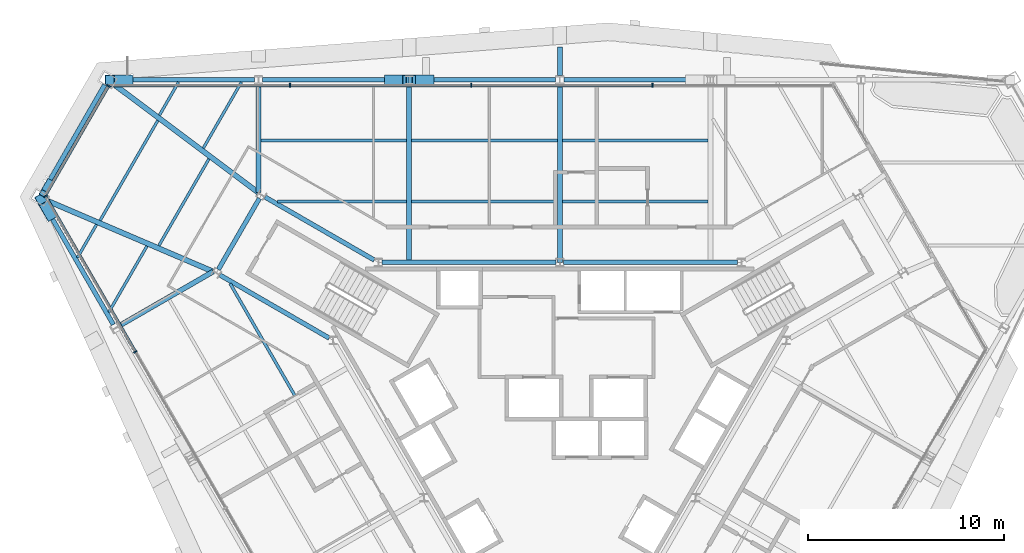
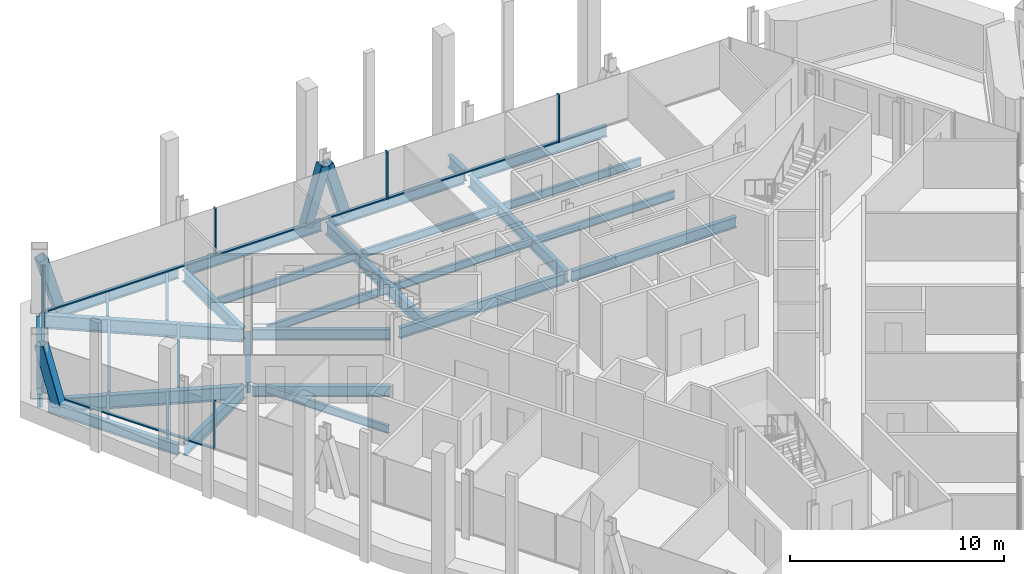
# One storey, part 5 of 13: 31 beams, 16 members, 3 elements without a shape of their own.
"""IFC4 building model written with IfcOpenShell, lengths in metres."""

from ifc_helpers import new_model, si_unit, direction, frame, origin, origin_2d, place, context, subcontext, project, spatial, rectangle, hollow_rectangle, i_section, extrude, material, material_profile, profile_set, type_object, element, aggregate, save


model = new_model("IFC4")

# Units and contexts
model_context = context("Model", 3, precision=1e-05, world=origin(), true_north=direction((0.0, 1.0)))
body_context = subcontext(model_context, "Body", "Model", "MODEL_VIEW")
ifc_project = project(units=[si_unit("LENGTHUNIT", "METRE"), si_unit("AREAUNIT", "SQUARE_METRE"), si_unit("VOLUMEUNIT", "CUBIC_METRE"), si_unit("PLANEANGLEUNIT", "RADIAN"), si_unit("MASSUNIT", "GRAM", prefix="KILO")], contexts=[model_context])

# Site, building, storey
site_placement = place(None, origin())
site = spatial("IfcSite", under=ifc_project, at=site_placement, CompositionType="ELEMENT")
building_placement = place(site_placement, origin())
building = spatial("IfcBuilding", under=site, at=building_placement, Name="Verrane Prism Tower", CompositionType="ELEMENT")
storey_placement = place(building_placement, frame((0.0, 0.0, 171.0)))
storey = spatial("IfcBuildingStorey", under=building, at=storey_placement, Name="L42", CompositionType="ELEMENT", Elevation=171.0)

# Member
ifc_material_1 = material(Name="Steel A500 Grade C", Category="steel")
ifc_material_profile_1 = material_profile(ifc_material_1, hollow_rectangle(XDim=0.3046875, YDim=0.3046875, WallThickness=0.0126953125, InnerFilletRadius=0.00634765625, OuterFilletRadius=0.01904296875, at=origin_2d()), Name="HSS12x12x1/2")
ifc_profile_set_1 = profile_set([ifc_material_profile_1], Name="Steel A500 Grade C")
member_type_1 = type_object("IfcMemberType", Name="Chamfer brace HSS12x12x1/2", PredefinedType="BRACE", material=ifc_profile_set_1)
member_1_placement = place(storey_placement, frame((-26.05517578125, 12.08984375, -0.24267578125), z_axis=(-0.129052425004, -0.224143685533, 0.965973643448), x_axis=(0.866622456874, -0.498964444867, 0.0)))
element("IfcMember", 1, at=member_1_placement, inside=storey, type_object=member_type_1, Name="Chamfer brace NW0 L42", PredefinedType="BRACE", context=body_context, shape_type="SweptSolid", body=[
    extrude(hollow_rectangle(XDim=0.3046875, YDim=0.3046875, WallThickness=0.0126953125, InnerFilletRadius=0.00634765625, OuterFilletRadius=0.01904296875, at=origin_2d()), origin(), (0.0, 0.0, 1.0), 2.480224609375),
])

# Beams
ifc_material_2 = material(Name="Steel A992", Category="steel")
ifc_material_profile_2 = material_profile(ifc_material_2, i_section(OverallWidth=0.2666015625, OverallDepth=0.7568359375, WebThickness=0.013916015625, FlangeThickness=0.019287109375, FilletRadius=0.0166015625, at=origin_2d()), Name="W30x108")
ifc_profile_set_2 = profile_set([ifc_material_profile_2], Name="Steel A992")
beam_type_1 = type_object("IfcBeamType", Name="Chamfer spandrel beam W30x108", PredefinedType="SPANDREL", material=ifc_profile_set_2)
beam_1_placement = place(storey_placement, frame((-23.19970703125, 17.050048828125, -0.53857421875), z_axis=(-0.498933745764, -0.866640131391, 0.0), x_axis=(0.866640131391, -0.498933745764, 0.0)))
element("IfcBeam", 2, at=beam_1_placement, inside=storey, type_object=beam_type_1, Name="Chamfer spandrel beam L42", PredefinedType="SPANDREL", context=body_context, shape_type="SweptSolid", body=[
    extrude(i_section(OverallWidth=0.2666015625, OverallDepth=0.7568359375, WebThickness=0.013916015625, FlangeThickness=0.019287109375, FilletRadius=0.0166015625, at=origin_2d()), origin(), (0.0, 0.0, 1.0), 6.334716796875),
])
ifc_material_3 = material(Name="Steel A992", Category="steel")
ifc_material_profile_3 = material_profile(ifc_material_3, i_section(OverallWidth=0.23046875, OverallDepth=0.6171875, WebThickness=0.01318359375, FlangeThickness=0.022216796875, FilletRadius=0.012939453125, at=origin_2d()), Name="W24x94")
ifc_profile_set_3 = profile_set([ifc_material_profile_3], Name="Steel A992")
beam_type_2 = type_object("IfcBeamType", Name="Core ring girder W24x94", PredefinedType="BEAM", material=ifc_profile_set_3)
for number, where, z_axis, x_axis, name in (
    (3, (9.059326171875, 8.0, -0.55859375), (-1.0, 0.0, 0.0), (0.0, -1.0, 0.0), "Core ring girder L42"),
    (4, (-0.20068359375, 8.0, -0.55859375), (-1.0, 0.0, 0.0), (0.0, -1.0, 0.0), "Core ring girder L42"),
):
    element("IfcBeam", number, at=place(storey_placement, frame(where, z_axis=z_axis, x_axis=x_axis)), inside=storey, type_object=beam_type_2, Name=name, PredefinedType="BEAM", context=body_context, shape_type="SweptSolid", body=[
        extrude(i_section(OverallWidth=0.23046875, OverallDepth=0.6171875, WebThickness=0.01318359375, FlangeThickness=0.022216796875, FilletRadius=0.012939453125, at=origin_2d()), origin(), (0.0, 0.0, 1.0), 8.858642578125),
    ])
beam_2_placement = place(storey_placement, frame((-9.460693359375, 8.11572265625, -0.55859375), z_axis=(-0.866075143088, 0.499913839102, 0.0), x_axis=(-0.499913839102, -0.866075143088, 0.0)))
element("IfcBeam", 5, at=beam_2_placement, inside=storey, type_object=beam_type_2, Name="Core ring girder L42", PredefinedType="BEAM", context=body_context, shape_type="SweptSolid", body=[
    extrude(i_section(OverallWidth=0.23046875, OverallDepth=0.6171875, WebThickness=0.01318359375, FlangeThickness=0.022216796875, FilletRadius=0.012939453125, at=origin_2d()), origin(), (0.0, 0.0, 1.0), 6.441650390625),
])
beam_3_placement = place(storey_placement, frame((-15.32177734375, 11.26416015625, -0.55859375), z_axis=(-0.500305747711, -0.865848808284, 0.0), x_axis=(0.865848808284, -0.500305747711, 0.0)))
element("IfcBeam", 6, at=beam_3_placement, inside=storey, type_object=beam_type_2, Name="Core ring girder L42", PredefinedType="BEAM", context=body_context, shape_type="SweptSolid", body=[
    extrude(i_section(OverallWidth=0.23046875, OverallDepth=0.6171875, WebThickness=0.01318359375, FlangeThickness=0.022216796875, FilletRadius=0.012939453125, at=origin_2d()), origin(), (0.0, 0.0, 1.0), 4.1904296875),
])
beam_4_placement = place(storey_placement, frame((-17.339599609375, 7.35595703125, -0.55859375), z_axis=(0.866075143088, -0.499913839102, 0.0), x_axis=(0.499913839102, 0.866075143088, 0.0)))
element("IfcBeam", 7, at=beam_4_placement, inside=storey, type_object=beam_type_2, Name="Core ring girder L42", PredefinedType="BEAM", context=body_context, shape_type="SweptSolid", body=[
    extrude(i_section(OverallWidth=0.23046875, OverallDepth=0.6171875, WebThickness=0.01318359375, FlangeThickness=0.022216796875, FilletRadius=0.012939453125, at=origin_2d()), origin(), (0.0, 0.0, 1.0), 6.441650390625),
])
ifc_material_4 = material(Name="Steel A992", Category="steel")
ifc_material_profile_4 = material_profile(ifc_material_4, i_section(OverallWidth=0.2666015625, OverallDepth=0.76708984375, WebThickness=0.014892578125, FlangeThickness=0.023681640625, FilletRadius=0.0166015625, at=origin_2d()), Name="W30x124")
ifc_profile_set_4 = profile_set([ifc_material_profile_4], Name="Steel A992")
beam_type_3 = type_object("IfcBeamType", Name="Corner girder W30x124", PredefinedType="BEAM", material=ifc_profile_set_4)
beam_5_placement = place(storey_placement, frame((-23.048583984375, 17.308837890625, -0.603515625), z_axis=(0.800128499961, -0.599828628485, 0.0), x_axis=(0.599828628485, 0.800128499961, 0.0)))
element("IfcBeam", 8, at=beam_5_placement, inside=storey, type_object=beam_type_3, Name="Corner girder L42", PredefinedType="BEAM", context=body_context, shape_type="SweptSolid", body=[
    extrude(i_section(OverallWidth=0.2666015625, OverallDepth=0.76708984375, WebThickness=0.014892578125, FlangeThickness=0.023681640625, FilletRadius=0.0166015625, at=origin_2d()), origin(), (0.0, 0.0, 1.0), 9.57421875),
])
beam_6_placement = place(storey_placement, frame((-26.139404296875, 11.1416015625, -0.603515625), z_axis=(0.919628068882, -0.392790293827, 0.0), x_axis=(0.392790293827, 0.919628068882, 0.0)))
element("IfcBeam", 9, at=beam_6_placement, inside=storey, type_object=beam_type_3, Name="Corner girder L42", PredefinedType="BEAM", context=body_context, shape_type="SweptSolid", body=[
    extrude(i_section(OverallWidth=0.2666015625, OverallDepth=0.76708984375, WebThickness=0.014892578125, FlangeThickness=0.023681640625, FilletRadius=0.0166015625, at=origin_2d()), origin(), (0.0, 0.0, 1.0), 9.162841796875),
])

# Members
ifc_material_5 = material(Name="Steel A500 Grade C", Category="steel")
ifc_material_profile_5 = material_profile(ifc_material_5, hollow_rectangle(XDim=0.508056640625, YDim=0.508056640625, WallThickness=0.01904296875, InnerFilletRadius=0.009521484375, OuterFilletRadius=0.028564453125, at=origin_2d()), Name="HSS20x20x3/4")
ifc_profile_set_5 = profile_set([ifc_material_profile_5], Name="Steel A500 Grade C")
member_type_2 = type_object("IfcMemberType", Name="Facade brace HSS20x20x3/4", PredefinedType="BRACE", material=ifc_profile_set_5)
member_2_placement = place(storey_placement, frame((-6.65771484375, 17.31005859375, -0.216796875), z_axis=(-0.284252705934, 0.0, 0.958749393308), x_axis=(0.0, -1.0, 0.0)))
element("IfcMember", 10, at=member_2_placement, inside=storey, type_object=member_type_2, Name="Facade brace N3 L42", PredefinedType="BRACE", context=body_context, shape_type="SweptSolid", body=[
    extrude(hollow_rectangle(XDim=0.508056640625, YDim=0.508056640625, WallThickness=0.01904296875, InnerFilletRadius=0.009521484375, OuterFilletRadius=0.028564453125, at=origin_2d()), origin(), (0.0, 0.0, 1.0), 3.286865234375),
])
member_3_placement = place(storey_placement, frame((-8.703857421875, 17.31005859375, -0.216796875), z_axis=(0.284594022652, 0.0, 0.95864813267), x_axis=(0.0, 1.0, 0.0)))
element("IfcMember", 11, at=member_3_placement, inside=storey, type_object=member_type_2, Name="Facade brace N4 L42", PredefinedType="BRACE", context=body_context, shape_type="SweptSolid", body=[
    extrude(hollow_rectangle(XDim=0.508056640625, YDim=0.508056640625, WallThickness=0.01904296875, InnerFilletRadius=0.009521484375, OuterFilletRadius=0.028564453125, at=origin_2d()), origin(), (0.0, 0.0, 1.0), 3.287353515625),
])
for number, where, z_axis, x_axis, name in (
    (12, (-22.027587890625, 17.31005859375, -0.216796875), (-0.284252705934, 0.0, 0.958749393308), (0.0, -1.0, 0.0), "Facade brace N5 L42"),
    (13, (-25.998779296875, 10.414794921875, -0.216796875), (-0.142163466059, 0.246149282404, 0.958749226696), (-0.86595058071, -0.500129574979, 0.0), "Facade brace SW0 L42"),
):
    element("IfcMember", number, at=place(storey_placement, frame(where, z_axis=z_axis, x_axis=x_axis)), inside=storey, type_object=member_type_2, Name=name, PredefinedType="BRACE", context=body_context, shape_type="SweptSolid", body=[
        extrude(hollow_rectangle(XDim=0.508056640625, YDim=0.508056640625, WallThickness=0.01904296875, InnerFilletRadius=0.009521484375, OuterFilletRadius=0.028564453125, at=origin_2d()), origin(), (0.0, 0.0, 1.0), 3.286865234375),
    ])

# Beams
ifc_material_6 = material(Name="Steel A992", Category="steel")
ifc_material_profile_6 = material_profile(ifc_material_6, i_section(OverallWidth=0.140380859375, OverallDepth=0.40380859375, WebThickness=0.007080078125, FlangeThickness=0.01123046875, FilletRadius=0.01025390625, at=origin_2d()), Name="W16x31")
ifc_profile_set_6 = profile_set([ifc_material_profile_6], Name="Steel A992")
beam_type_4 = type_object("IfcBeamType", Name="Floor beam W16x31", PredefinedType="BEAM", material=ifc_profile_set_6)
beam_7_placement = place(storey_placement, frame((-18.18505859375, 13.828125, -0.36181640625), z_axis=(0.499988811324, 0.866031863473, 0.0), x_axis=(-0.866031863473, 0.499988811324, 0.0)))
element("IfcBeam", 14, at=beam_7_placement, inside=storey, type_object=beam_type_4, Name="Floor beam L42", PredefinedType="BEAM", context=body_context, shape_type="SweptSolid", body=[
    extrude(i_section(OverallWidth=0.140380859375, OverallDepth=0.40380859375, WebThickness=0.007080078125, FlangeThickness=0.01123046875, FilletRadius=0.01025390625, at=origin_2d()), origin(), (0.0, 0.0, 1.0), 3.8876953125),
])
beam_8_placement = place(storey_placement, frame((-20.4228515625, 15.50634765625, -0.36181640625), z_axis=(0.49995005938, 0.866054235095, 0.0), x_axis=(-0.866054235095, 0.49995005938, 0.0)))
element("IfcBeam", 15, at=beam_8_placement, inside=storey, type_object=beam_type_4, Name="Floor beam L42", PredefinedType="BEAM", context=body_context, shape_type="SweptSolid", body=[
    extrude(i_section(OverallWidth=0.140380859375, OverallDepth=0.40380859375, WebThickness=0.007080078125, FlangeThickness=0.01123046875, FilletRadius=0.01025390625, at=origin_2d()), origin(), (0.0, 0.0, 1.0), 1.949951171875),
])
beam_9_placement = place(storey_placement, frame((-23.00537109375, 5.460693359375, -0.36181640625), z_axis=(0.500001430823, 0.866024577697, 0.0), x_axis=(-0.866024577697, 0.500001430823, 0.0)))
element("IfcBeam", 16, at=beam_9_placement, inside=storey, type_object=beam_type_4, Name="Floor beam L42", PredefinedType="BEAM", context=body_context, shape_type="SweptSolid", body=[
    extrude(i_section(OverallWidth=0.140380859375, OverallDepth=0.40380859375, WebThickness=0.007080078125, FlangeThickness=0.01123046875, FilletRadius=0.01025390625, at=origin_2d()), origin(), (0.0, 0.0, 1.0), 3.888671875),
])
beam_10_placement = place(storey_placement, frame((-24.60888671875, 8.23779296875, -0.36181640625), z_axis=(0.499935549689, 0.866062610991, 0.0), x_axis=(-0.866062610991, 0.499935549689, 0.0)))
element("IfcBeam", 17, at=beam_10_placement, inside=storey, type_object=beam_type_4, Name="Floor beam L42", PredefinedType="BEAM", context=body_context, shape_type="SweptSolid", body=[
    extrude(i_section(OverallWidth=0.140380859375, OverallDepth=0.40380859375, WebThickness=0.007080078125, FlangeThickness=0.01123046875, FilletRadius=0.01025390625, at=origin_2d()), origin(), (0.0, 0.0, 1.0), 1.950439453125),
])
beam_11_placement = place(storey_placement, frame((-20.450439453125, 8.85791015625, -0.36181640625), z_axis=(0.499991534382, 0.866030291356, 0.0), x_axis=(-0.866030291356, 0.499991534382, 0.0)))
element("IfcBeam", 18, at=beam_11_placement, inside=storey, type_object=beam_type_4, Name="Floor beam L42", PredefinedType="BEAM", context=body_context, shape_type="SweptSolid", body=[
    extrude(i_section(OverallWidth=0.140380859375, OverallDepth=0.40380859375, WebThickness=0.007080078125, FlangeThickness=0.01123046875, FilletRadius=0.01025390625, at=origin_2d()), origin(), (0.0, 0.0, 1.0), 5.10498046875),
])
beam_12_placement = place(storey_placement, frame((-23.450439453125, 10.138916015625, -0.36181640625), z_axis=(0.499984561422, 0.866034317068, 0.0), x_axis=(-0.866034317068, 0.499984561422, 0.0)))
element("IfcBeam", 19, at=beam_12_placement, inside=storey, type_object=beam_type_4, Name="Floor beam L42", PredefinedType="BEAM", context=body_context, shape_type="SweptSolid", body=[
    extrude(i_section(OverallWidth=0.140380859375, OverallDepth=0.40380859375, WebThickness=0.007080078125, FlangeThickness=0.01123046875, FilletRadius=0.01025390625, at=origin_2d()), origin(), (0.0, 0.0, 1.0), 5.885986328125),
])
ifc_material_7 = material(Name="Steel A992", Category="steel")
ifc_material_profile_7 = material_profile(ifc_material_7, i_section(OverallWidth=0.15234375, OverallDepth=0.449462890625, WebThickness=0.007568359375, FlangeThickness=0.0107421875, FilletRadius=0.01025390625, at=origin_2d()), Name="W18x35")
ifc_profile_set_7 = profile_set([ifc_material_profile_7], Name="Steel A992")
beam_type_5 = type_object("IfcBeamType", Name="Floor beam W18x35", PredefinedType="BEAM", material=ifc_profile_set_7)
for number, where, z_axis, x_axis, name in (
    (20, (0.126953125, 11.103271484375, -0.384765625), (1.0, 0.0, 0.0), (0.0, 1.0, 0.0), "Floor beam L42"),
    (21, (0.126953125, 14.206787109375, -0.384765625), (1.0, 0.0, 0.0), (0.0, 1.0, 0.0), "Floor beam L42"),
    (22, (-7.552978515625, 11.103271484375, -0.384765625), (1.0, 0.0, 0.0), (0.0, 1.0, 0.0), "Floor beam L42"),
    (23, (-7.552978515625, 14.206787109375, -0.384765625), (1.0, 0.0, 0.0), (0.0, 1.0, 0.0), "Floor beam L42"),
):
    element("IfcBeam", number, at=place(storey_placement, frame(where, z_axis=z_axis, x_axis=x_axis)), inside=storey, type_object=beam_type_5, Name=name, PredefinedType="BEAM", context=body_context, shape_type="SweptSolid", body=[
        extrude(i_section(OverallWidth=0.15234375, OverallDepth=0.449462890625, WebThickness=0.007568359375, FlangeThickness=0.0107421875, FilletRadius=0.01025390625, at=origin_2d()), origin(), (0.0, 0.0, 1.0), 7.426025390625),
    ])
beam_13_placement = place(storey_placement, frame((-14.40673828125, 11.103271484375, -0.384765625), z_axis=(1.0, 0.0, 0.0), x_axis=(0.0, 1.0, 0.0)))
element("IfcBeam", 24, at=beam_13_placement, inside=storey, type_object=beam_type_5, Name="Floor beam L42", PredefinedType="BEAM", context=body_context, shape_type="SweptSolid", body=[
    extrude(i_section(OverallWidth=0.15234375, OverallDepth=0.449462890625, WebThickness=0.007568359375, FlangeThickness=0.0107421875, FilletRadius=0.01025390625, at=origin_2d()), origin(), (0.0, 0.0, 1.0), 6.599853515625),
])
beam_14_placement = place(storey_placement, frame((-15.242919921875, 14.206787109375, -0.384765625), z_axis=(1.0, 0.0, 0.0), x_axis=(0.0, 1.0, 0.0)))
element("IfcBeam", 25, at=beam_14_placement, inside=storey, type_object=beam_type_5, Name="Floor beam L42", PredefinedType="BEAM", context=body_context, shape_type="SweptSolid", body=[
    extrude(i_section(OverallWidth=0.15234375, OverallDepth=0.449462890625, WebThickness=0.007568359375, FlangeThickness=0.0107421875, FilletRadius=0.01025390625, at=origin_2d()), origin(), (0.0, 0.0, 1.0), 7.43603515625),
])
beam_15_placement = place(storey_placement, frame((-13.519775390625, 1.210205078125, -0.384765625), z_axis=(-0.500012988063, 0.866017904993, 0.0), x_axis=(-0.866017904993, -0.500012988063, 0.0)))
element("IfcBeam", 26, at=beam_15_placement, inside=storey, type_object=beam_type_5, Name="Floor beam L42", PredefinedType="BEAM", context=body_context, shape_type="SweptSolid", body=[
    extrude(i_section(OverallWidth=0.15234375, OverallDepth=0.449462890625, WebThickness=0.007568359375, FlangeThickness=0.0107421875, FilletRadius=0.01025390625, at=origin_2d()), origin(), (0.0, 0.0, 1.0), 6.594970703125),
])

# Curtain wall, members
ifc_material_8 = material(Name="Aluminium framed insulated glazing", Category="aluminium")
curtain_wall_type = type_object("IfcCurtainWallType", Name="Curtain wall CW-A 8400 module", PredefinedType="NOTDEFINED", material=ifc_material_8)
curtain_wall_1_placement = place(storey_placement, origin())
curtain_wall_1 = element("IfcCurtainWall", 27, at=curtain_wall_1_placement, inside=storey, type_object=curtain_wall_type, Name="Glazed curtain wall north face L42", PredefinedType="NOTDEFINED")
ifc_material_9 = material(Name="Aluminium alloy 6063-T6", Category="aluminium")
ifc_material_profile_8 = material_profile(ifc_material_9, rectangle(XDim=0.199951171875, YDim=0.070068359375, at=origin_2d()), Name="Mullion 70x200 aluminium")
ifc_profile_set_8 = profile_set([ifc_material_profile_8], Name="Aluminium alloy 6063-T6")
member_type_3 = type_object("IfcMemberType", Name="Mullion 70x200 aluminium", PredefinedType="MULLION", material=ifc_profile_set_8)
member_4_placement = place(storey_placement, frame((4.7275390625, 17.031005859375, 0.0), z_axis=(0.0, 0.0, 1.0), x_axis=(0.0, -1.0, 0.0)))
member_4 = element("IfcMember", 28, at=member_4_placement, type_object=member_type_3, Name="CW42.2 mullion 2", PredefinedType="MULLION", context=body_context, shape_type="SweptSolid", body=[
    extrude(rectangle(XDim=0.199951171875, YDim=0.070068359375, at=origin_2d()), origin(), (0.0, 0.0, 1.0), 2.712890625),
])
member_5_placement = place(storey_placement, frame((-4.516357421875, 17.031005859375, 0.0), z_axis=(0.0, 0.0, 1.0), x_axis=(0.0, -1.0, 0.0)))
member_5 = element("IfcMember", 29, at=member_5_placement, type_object=member_type_3, Name="CW42.2 mullion 3", PredefinedType="MULLION", context=body_context, shape_type="SweptSolid", body=[
    extrude(rectangle(XDim=0.199951171875, YDim=0.070068359375, at=origin_2d()), origin(), (0.0, 0.0, 1.0), 2.712890625),
])
member_6_placement = place(storey_placement, frame((-13.76025390625, 17.031005859375, 0.0), z_axis=(0.0, 0.0, 1.0), x_axis=(0.0, -1.0, 0.0)))
member_6 = element("IfcMember", 30, at=member_6_placement, type_object=member_type_3, Name="CW42.2 mullion 4", PredefinedType="MULLION", context=body_context, shape_type="SweptSolid", body=[
    extrude(rectangle(XDim=0.199951171875, YDim=0.070068359375, at=origin_2d()), origin(), (0.0, 0.0, 1.0), 2.712890625),
])

# Curtain wall, member
curtain_wall_2_placement = place(storey_placement, origin())
curtain_wall_2 = element("IfcCurtainWall", 31, at=curtain_wall_2_placement, inside=storey, type_object=curtain_wall_type, Name="Glazed curtain wall north-west corner L42", PredefinedType="NOTDEFINED")
member_7_placement = place(storey_placement, frame((-23.021484375, 17.000732421875, 0.0), z_axis=(0.0, 0.0, 1.0), x_axis=(0.866021993679, -0.50000590643, 0.0)))
member_7 = element("IfcMember", 32, at=member_7_placement, type_object=member_type_3, Name="CW42.3 mullion 1", PredefinedType="MULLION", context=body_context, shape_type="SweptSolid", body=[
    extrude(rectangle(XDim=0.199951171875, YDim=0.070068359375, at=origin_2d()), origin(), (0.0, 0.0, 1.0), 2.712890625),
])

# Curtain wall, members
curtain_wall_3_placement = place(storey_placement, origin())
curtain_wall_3 = element("IfcCurtainWall", 33, at=curtain_wall_3_placement, inside=storey, type_object=curtain_wall_type, Name="Glazed curtain wall south-west face L42", PredefinedType="NOTDEFINED")
member_8_placement = place(storey_placement, frame((-26.23388671875, 11.376220703125, 0.0), z_axis=(0.0, 0.0, 1.0), x_axis=(0.86602596468, 0.499999028499, 0.0)))
member_8 = element("IfcMember", 34, at=member_8_placement, type_object=member_type_3, Name="CW42.4 mullion 1", PredefinedType="MULLION", context=body_context, shape_type="SweptSolid", body=[
    extrude(rectangle(XDim=0.199951171875, YDim=0.070068359375, at=origin_2d()), origin(), (0.0, 0.0, 1.0), 2.712890625),
])
member_9_placement = place(storey_placement, frame((-21.650390625, 3.437744140625, 0.0), z_axis=(0.0, 0.0, 1.0), x_axis=(0.86602596468, 0.499999028499, 0.0)))
member_9 = element("IfcMember", 35, at=member_9_placement, type_object=member_type_3, Name="CW42.4 mullion 2", PredefinedType="MULLION", context=body_context, shape_type="SweptSolid", body=[
    extrude(rectangle(XDim=0.199951171875, YDim=0.070068359375, at=origin_2d()), origin(), (0.0, 0.0, 1.0), 2.712890625),
])

# Beams
ifc_material_10 = material(Name="Steel A992", Category="steel")
ifc_material_profile_9 = material_profile(ifc_material_10, i_section(OverallWidth=0.25390625, OverallDepth=0.683349609375, WebThickness=0.012451171875, FlangeThickness=0.01904296875, FilletRadius=0.01513671875, at=origin_2d()), Name="W27x94")
ifc_profile_set_9 = profile_set([ifc_material_profile_9], Name="Steel A992")
beam_type_6 = type_object("IfcBeamType", Name="Radial girder W27x94", PredefinedType="BEAM", material=ifc_profile_set_9)
for number, where, z_axis, x_axis, name in (
    (36, (0.0, 17.0927734375, -0.5615234375), (0.0, -1.0, 0.0), (1.0, 0.0, 0.0), "Radial girder L42"),
    (37, (-7.679931640625, 17.0927734375, -0.5615234375), (0.0, -1.0, 0.0), (1.0, 0.0, 0.0), "Radial girder L42"),
):
    element("IfcBeam", number, at=place(storey_placement, frame(where, z_axis=z_axis, x_axis=x_axis)), inside=storey, type_object=beam_type_6, Name=name, PredefinedType="BEAM", context=body_context, shape_type="SweptSolid", body=[
        extrude(i_section(OverallWidth=0.25390625, OverallDepth=0.683349609375, WebThickness=0.012451171875, FlangeThickness=0.01904296875, FilletRadius=0.01513671875, at=origin_2d()), origin(), (0.0, 0.0, 1.0), 9.0927734375),
    ])
beam_16_placement = place(storey_placement, frame((-15.3701171875, 17.0927734375, -0.5615234375), z_axis=(0.0, -1.0, 0.0), x_axis=(1.0, 0.0, 0.0)))
element("IfcBeam", 38, at=beam_16_placement, inside=storey, type_object=beam_type_6, Name="Radial girder L42", PredefinedType="BEAM", context=body_context, shape_type="SweptSolid", body=[
    extrude(i_section(OverallWidth=0.25390625, OverallDepth=0.683349609375, WebThickness=0.012451171875, FlangeThickness=0.01904296875, FilletRadius=0.01513671875, at=origin_2d()), origin(), (0.0, 0.0, 1.0), 5.540283203125),
])
beam_17_placement = place(storey_placement, frame((-22.48193359375, 4.758544921875, -0.5615234375), z_axis=(0.866016849815, 0.500014815617, 0.0), x_axis=(-0.500014815617, 0.866016849815, 0.0)))
element("IfcBeam", 39, at=beam_17_placement, inside=storey, type_object=beam_type_6, Name="Radial girder L42", PredefinedType="BEAM", context=body_context, shape_type="SweptSolid", body=[
    extrude(i_section(OverallWidth=0.25390625, OverallDepth=0.683349609375, WebThickness=0.012451171875, FlangeThickness=0.01904296875, FilletRadius=0.01513671875, at=origin_2d()), origin(), (0.0, 0.0, 1.0), 5.541748046875),
])
beam_18_placement = place(storey_placement, frame((0.0, 17.523193359375, -0.5615234375), z_axis=(0.0, 1.0, 0.0), x_axis=(-1.0, 0.0, 0.0)))
element("IfcBeam", 40, at=beam_18_placement, inside=storey, type_object=beam_type_6, Name="Cantilever girder L42", PredefinedType="BEAM", context=body_context, shape_type="SweptSolid", body=[
    extrude(i_section(OverallWidth=0.25390625, OverallDepth=0.683349609375, WebThickness=0.012451171875, FlangeThickness=0.01904296875, FilletRadius=0.01513671875, at=origin_2d()), origin(), (0.0, 0.0, 1.0), 1.458740234375),
])
ifc_material_11 = material(Name="Steel A992", Category="steel")
ifc_material_profile_10 = material_profile(ifc_material_11, i_section(OverallWidth=0.23046875, OverallDepth=0.6171875, WebThickness=0.01318359375, FlangeThickness=0.022216796875, FilletRadius=0.012939453125, at=origin_2d()), Name="W24x94")
ifc_profile_set_10 = profile_set([ifc_material_profile_10], Name="Steel A992")
beam_type_7 = type_object("IfcBeamType", Name="Spandrel beam W24x94", PredefinedType="SPANDREL", material=ifc_profile_set_10)
for number, where, z_axis, x_axis, name in (
    (41, (7.474365234375, 17.31005859375, -0.468505859375), (-1.0, 0.0, 0.0), (0.0, -1.0, 0.0), "Spandrel beam L42"),
    (42, (-0.205810546875, 17.31005859375, -0.468505859375), (-1.0, 0.0, 0.0), (0.0, -1.0, 0.0), "Spandrel beam L42"),
):
    element("IfcBeam", number, at=place(storey_placement, frame(where, z_axis=z_axis, x_axis=x_axis)), inside=storey, type_object=beam_type_7, Name=name, PredefinedType="SPANDREL", context=body_context, shape_type="SweptSolid", body=[
        extrude(i_section(OverallWidth=0.23046875, OverallDepth=0.6171875, WebThickness=0.01318359375, FlangeThickness=0.022216796875, FilletRadius=0.012939453125, at=origin_2d()), origin(), (0.0, 0.0, 1.0), 7.2685546875),
    ])
beam_19_placement = place(storey_placement, frame((-7.8857421875, 17.31005859375, -0.468505859375), z_axis=(-1.0, 0.0, 0.0), x_axis=(0.0, -1.0, 0.0)))
element("IfcBeam", 43, at=beam_19_placement, inside=storey, type_object=beam_type_7, Name="Spandrel beam L42", PredefinedType="SPANDREL", context=body_context, shape_type="SweptSolid", body=[
    extrude(i_section(OverallWidth=0.23046875, OverallDepth=0.6171875, WebThickness=0.01318359375, FlangeThickness=0.022216796875, FilletRadius=0.012939453125, at=origin_2d()), origin(), (0.0, 0.0, 1.0), 7.278564453125),
])
beam_20_placement = place(storey_placement, frame((-15.57568359375, 17.31005859375, -0.468505859375), z_axis=(-1.0, 0.0, 0.0), x_axis=(0.0, -1.0, 0.0)))
element("IfcBeam", 44, at=beam_20_placement, inside=storey, type_object=beam_type_7, Name="Spandrel beam L42", PredefinedType="SPANDREL", context=body_context, shape_type="SweptSolid", body=[
    extrude(i_section(OverallWidth=0.23046875, OverallDepth=0.6171875, WebThickness=0.01318359375, FlangeThickness=0.022216796875, FilletRadius=0.012939453125, at=origin_2d()), origin(), (0.0, 0.0, 1.0), 7.012451171875),
])
beam_21_placement = place(storey_placement, frame((-26.279052734375, 10.89990234375, -0.468505859375), z_axis=(0.5000600333, -0.865990740768, 0.0), x_axis=(0.865990740768, 0.5000600333, 0.0)))
element("IfcBeam", 45, at=beam_21_placement, inside=storey, type_object=beam_type_7, Name="Spandrel beam L42", PredefinedType="SPANDREL", context=body_context, shape_type="SweptSolid", body=[
    extrude(i_section(OverallWidth=0.23046875, OverallDepth=0.6171875, WebThickness=0.01318359375, FlangeThickness=0.022216796875, FilletRadius=0.012939453125, at=origin_2d()), origin(), (0.0, 0.0, 1.0), 7.011474609375),
])

# Member
ifc_material_12 = material(Name="Aluminium alloy 6063-T6", Category="aluminium")
ifc_material_profile_11 = material_profile(ifc_material_12, rectangle(XDim=0.14990234375, YDim=0.070068359375, at=origin_2d()), Name="Transom 70x150 aluminium")
ifc_profile_set_11 = profile_set([ifc_material_profile_11], Name="Aluminium alloy 6063-T6")
member_type_4 = type_object("IfcMemberType", Name="Transom 70x150 aluminium", PredefinedType="USERDEFINED", material=ifc_profile_set_11)
member_10_placement = place(storey_placement, frame((4.6923828125, 17.031005859375, 0.034912109375), z_axis=(-1.0, 0.0, 0.0), x_axis=(0.0, -1.0, 0.0)))
member_10 = element("IfcMember", 46, at=member_10_placement, type_object=member_type_4, Name="CW42.2 transom 2", ObjectType="TRANSOM", PredefinedType="USERDEFINED", context=body_context, shape_type="SweptSolid", body=[
    extrude(rectangle(XDim=0.14990234375, YDim=0.070068359375, at=origin_2d()), origin(), (0.0, 0.0, 1.0), 9.173828125),
])

member_11_placement = place(storey_placement, frame((-4.55126953125, 17.031005859375, 0.034912109375), z_axis=(-1.0, 0.0, 0.0), x_axis=(0.0, -1.0, 0.0)))
member_11 = element("IfcMember", 47, at=member_11_placement, type_object=member_type_4, Name="CW42.2 transom 3", ObjectType="TRANSOM", PredefinedType="USERDEFINED", context=body_context, shape_type="SweptSolid", body=[
    extrude(rectangle(XDim=0.14990234375, YDim=0.070068359375, at=origin_2d()), origin(), (0.0, 0.0, 1.0), 9.173828125),
])

member_12_placement = place(storey_placement, frame((-13.795166015625, 17.031005859375, 0.034912109375), z_axis=(-1.0, 0.0, 0.0), x_axis=(0.0, -1.0, 0.0)))
member_12 = element("IfcMember", 48, at=member_12_placement, type_object=member_type_4, Name="CW42.2 transom 4", ObjectType="TRANSOM", PredefinedType="USERDEFINED", context=body_context, shape_type="SweptSolid", body=[
    extrude(rectangle(XDim=0.14990234375, YDim=0.070068359375, at=origin_2d()), origin(), (0.0, 0.0, 1.0), 9.208740234375),
])

aggregate(curtain_wall_1, [member_4, member_5, member_6, member_10, member_11, member_12])

member_13_placement = place(storey_placement, frame((-23.0390625, 16.970458984375, 0.034912109375), z_axis=(-0.499976839226, -0.86603877525, 0.0), x_axis=(0.86603877525, -0.499976839226, 0.0)))
member_13 = element("IfcMember", 49, at=member_13_placement, type_object=member_type_4, Name="CW42.3 transom 1", ObjectType="TRANSOM", PredefinedType="USERDEFINED", context=body_context, shape_type="SweptSolid", body=[
    extrude(rectangle(XDim=0.14990234375, YDim=0.070068359375, at=origin_2d()), origin(), (0.0, 0.0, 1.0), 6.424560546875),
])

aggregate(curtain_wall_2, [member_7, member_13])

member_14_placement = place(storey_placement, frame((-26.21630859375, 11.345947265625, 0.034912109375), z_axis=(0.500001238203, -0.866024688907, 0.0), x_axis=(0.866024688907, 0.500001238203, 0.0)))
member_14 = element("IfcMember", 50, at=member_14_placement, type_object=member_type_4, Name="CW42.4 transom 1", ObjectType="TRANSOM", PredefinedType="USERDEFINED", context=body_context, shape_type="SweptSolid", body=[
    extrude(rectangle(XDim=0.14990234375, YDim=0.070068359375, at=origin_2d()), origin(), (0.0, 0.0, 1.0), 9.0966796875),
])

aggregate(curtain_wall_3, [member_8, member_9, member_14])

save(model, "model.ifc")
